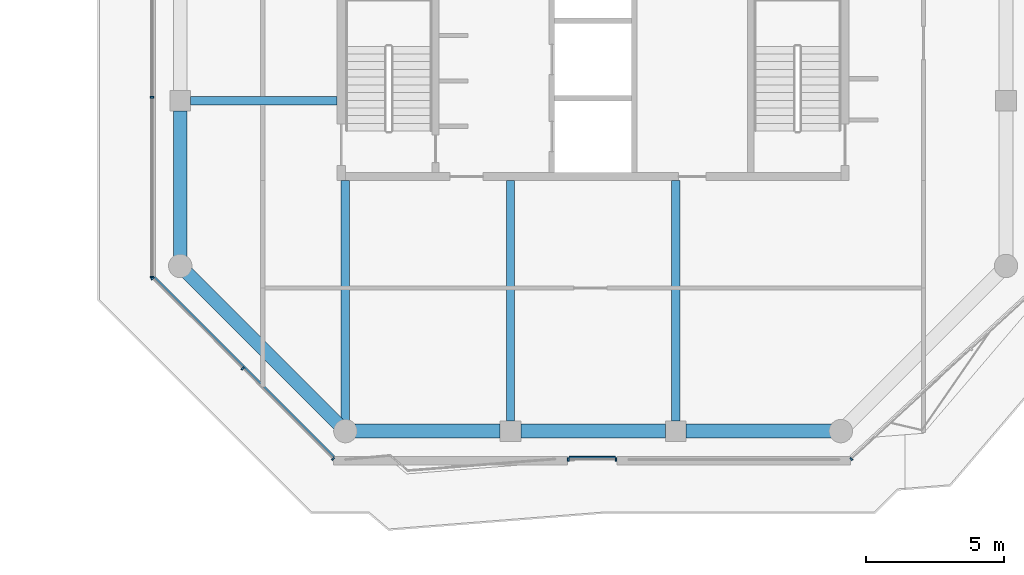
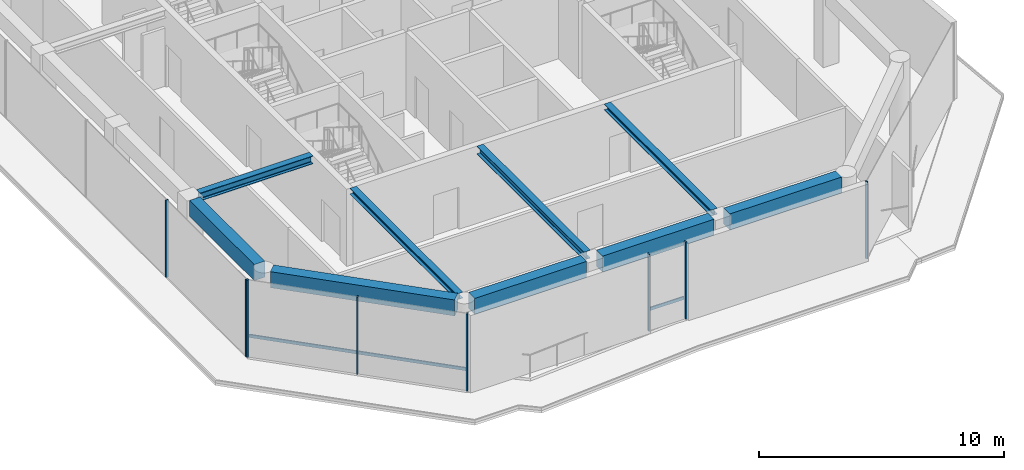
# One storey, part 2 of 23: 10 members, 9 beams, 4 elements without a shape of their own.
"""IFC4 building model written with IfcOpenShell, lengths in metres."""

from ifc_helpers import new_model, si_unit, direction, frame, origin, origin_2d, place, context, subcontext, project, spatial, rectangle, i_section, extrude, material, layer, layer_set, material_profile, profile_set, type_object, element, aggregate, save


model = new_model("IFC4")

# Units and contexts
model_context = context("Model", 3, precision=1e-05, world=origin(), true_north=direction((0.0, 1.0)))
body_context = subcontext(model_context, "Body", "Model", "MODEL_VIEW")
ifc_project = project(units=[si_unit("LENGTHUNIT", "METRE"), si_unit("AREAUNIT", "SQUARE_METRE"), si_unit("VOLUMEUNIT", "CUBIC_METRE"), si_unit("PLANEANGLEUNIT", "RADIAN"), si_unit("MASSUNIT", "GRAM", prefix="KILO")], contexts=[model_context])

# Site, building, storey
site_placement = place(None, origin())
site = spatial("IfcSite", under=ifc_project, at=site_placement, CompositionType="ELEMENT")
building_placement = place(site_placement, origin())
building = spatial("IfcBuilding", under=site, at=building_placement, Name="Welwitschia Terrace Campus", CompositionType="ELEMENT")
storey_placement = place(building_placement, frame((0.0, 0.0, 306.199951171875)))
storey = spatial("IfcBuildingStorey", under=building, at=storey_placement, Name="L68", CompositionType="ELEMENT", Elevation=306.199951171875)

# Beams
ifc_material_1 = material(Name="Steel S355", Category="steel")
ifc_material_profile_1 = material_profile(ifc_material_1, i_section(OverallWidth=0.300048828125, OverallDepth=0.300048828125, WebThickness=0.010986328125, FlangeThickness=0.01904296875, FilletRadius=0.027099609375, at=origin_2d()))
ifc_profile_set_1 = profile_set([ifc_material_profile_1], Name="Steel S355")
beam_type_1 = type_object("IfcBeamType", Name="Interior girder HE 300 B", PredefinedType="BEAM", material=ifc_profile_set_1)
beam_1_placement = place(storey_placement, frame((6.0, -3.611572265625, 3.699951171875), z_axis=(0.0, 1.0, 0.0), x_axis=(-1.0, 0.0, 0.0)))
element("IfcBeam", 1, at=beam_1_placement, inside=storey, type_object=beam_type_1, Name="Girder GB6", PredefinedType="BEAM", context=body_context, shape_type="SweptSolid", body=[
    extrude(i_section(OverallWidth=0.300048828125, OverallDepth=0.300048828125, WebThickness=0.010986328125, FlangeThickness=0.01904296875, FilletRadius=0.027099609375, at=origin_2d()), origin(), (0.0, 0.0, 1.0), 8.710693359375),
])
beam_2_placement = place(storey_placement, frame((18.0, -3.634521484375, 3.699951171875), z_axis=(0.0, 1.0, 0.0), x_axis=(-1.0, 0.0, 0.0)))
element("IfcBeam", 2, at=beam_2_placement, inside=storey, type_object=beam_type_1, Name="Girder GB6", PredefinedType="BEAM", context=body_context, shape_type="SweptSolid", body=[
    extrude(i_section(OverallWidth=0.300048828125, OverallDepth=0.300048828125, WebThickness=0.010986328125, FlangeThickness=0.01904296875, FilletRadius=0.027099609375, at=origin_2d()), origin(), (0.0, 0.0, 1.0), 8.733642578125),
])

# Curtain wall, members
ifc_material_2 = material(Name="Bronze anodised aluminium", Category="aluminium")
ifc_layer = layer(ifc_material_2, 0.1201171875)
ifc_layer_set = layer_set([ifc_layer], Name="Bronze anodised aluminium")
curtain_wall_type = type_object("IfcCurtainWallType", Name="Curtain wall CW2 tower 6000", PredefinedType="NOTDEFINED", material=ifc_layer_set)
curtain_wall_1_placement = place(storey_placement, origin())
curtain_wall_1 = element("IfcCurtainWall", 3, at=curtain_wall_1_placement, inside=storey, type_object=curtain_wall_type, Name="CW L68.0.0", PredefinedType="NOTDEFINED")
ifc_material_3 = material(Name="Bronze anodised aluminium", Category="aluminium")
ifc_material_profile_2 = material_profile(ifc_material_3, rectangle(XDim=0.1201171875, YDim=0.06005859375, at=origin_2d()))
ifc_profile_set_2 = profile_set([ifc_material_profile_2], Name="Bronze anodised aluminium")
member_type_1 = type_object("IfcMemberType", Name="Mullion 60x120", PredefinedType="MULLION", material=ifc_profile_set_2)
member_1_placement = place(storey_placement, frame((-1.030029296875, 8.129638671875, 0.0), z_axis=(0.0, 0.0, 1.0), x_axis=(1.0, 0.0, 0.0)))
member_1 = element("IfcMember", 4, at=member_1_placement, type_object=member_type_1, Name="Mullion L68.0.0.3", PredefinedType="MULLION", context=body_context, shape_type="SweptSolid", body=[
    extrude(rectangle(XDim=0.1201171875, YDim=0.06005859375, at=origin_2d()), origin(), (0.0, 0.0, 1.0), 3.85009765625),
])
member_2_placement = place(storey_placement, frame((-1.030029296875, 1.603271484375, 0.0), z_axis=(0.0, 0.0, 1.0), x_axis=(1.0, 0.0, 0.0)))
member_2 = element("IfcMember", 5, at=member_2_placement, type_object=member_type_1, Name="Mullion L68.0.0.4", PredefinedType="MULLION", context=body_context, shape_type="SweptSolid", body=[
    extrude(rectangle(XDim=0.1201171875, YDim=0.06005859375, at=origin_2d()), origin(), (0.0, 0.0, 1.0), 3.85009765625),
])
aggregate(curtain_wall_1, [member_1, member_2])

curtain_wall_2_placement = place(storey_placement, origin())
curtain_wall_2 = element("IfcCurtainWall", 6, at=curtain_wall_2_placement, inside=storey, type_object=curtain_wall_type, Name="CW L68.1.0", PredefinedType="NOTDEFINED")
member_3_placement = place(storey_placement, frame((-1.0087890625, 1.55224609375, 0.0), z_axis=(0.0, 0.0, 1.0), x_axis=(0.707106781187, 0.707106781187, 0.0)))
member_3 = element("IfcMember", 7, at=member_3_placement, type_object=member_type_1, Name="Mullion L68.1.0.0", PredefinedType="MULLION", context=body_context, shape_type="SweptSolid", body=[
    extrude(rectangle(XDim=0.1201171875, YDim=0.06005859375, at=origin_2d()), origin(), (0.0, 0.0, 1.0), 3.85009765625),
])
member_4_placement = place(storey_placement, frame((2.271728515625, -1.728271484375, 0.0), z_axis=(0.0, 0.0, 1.0), x_axis=(0.707106781187, 0.707106781187, 0.0)))
member_4 = element("IfcMember", 8, at=member_4_placement, type_object=member_type_1, Name="Mullion L68.1.0.1", PredefinedType="MULLION", context=body_context, shape_type="SweptSolid", body=[
    extrude(rectangle(XDim=0.1201171875, YDim=0.06005859375, at=origin_2d()), origin(), (0.0, 0.0, 1.0), 3.85009765625),
])
member_5_placement = place(storey_placement, frame((5.55224609375, -5.0087890625, 0.0), z_axis=(0.0, 0.0, 1.0), x_axis=(0.707106781187, 0.707106781187, 0.0)))
member_5 = element("IfcMember", 9, at=member_5_placement, type_object=member_type_1, Name="Mullion L68.1.0.2", PredefinedType="MULLION", context=body_context, shape_type="SweptSolid", body=[
    extrude(rectangle(XDim=0.1201171875, YDim=0.06005859375, at=origin_2d()), origin(), (0.0, 0.0, 1.0), 3.85009765625),
])

curtain_wall_3_placement = place(storey_placement, origin())
curtain_wall_3 = element("IfcCurtainWall", 10, at=curtain_wall_3_placement, inside=storey, type_object=curtain_wall_type, Name="CW L68.2.S0", PredefinedType="NOTDEFINED")
member_6_placement = place(storey_placement, frame((14.095947265625, -5.030029296875, 0.0), z_axis=(0.0, 0.0, 1.0), x_axis=(0.0, 1.0, 0.0)))
member_6 = element("IfcMember", 11, at=member_6_placement, type_object=member_type_1, Name="Mullion L68.2.S0.0", PredefinedType="MULLION", context=body_context, shape_type="SweptSolid", body=[
    extrude(rectangle(XDim=0.1201171875, YDim=0.06005859375, at=origin_2d()), origin(), (0.0, 0.0, 1.0), 3.85009765625),
])
member_7_placement = place(storey_placement, frame((15.8359375, -5.030029296875, 0.0), z_axis=(0.0, 0.0, 1.0), x_axis=(0.0, 1.0, 0.0)))
member_7 = element("IfcMember", 12, at=member_7_placement, type_object=member_type_1, Name="Mullion L68.2.S0.1", PredefinedType="MULLION", context=body_context, shape_type="SweptSolid", body=[
    extrude(rectangle(XDim=0.1201171875, YDim=0.06005859375, at=origin_2d()), origin(), (0.0, 0.0, 1.0), 3.85009765625),
])

# Curtain wall, member
curtain_wall_4_placement = place(storey_placement, origin())
curtain_wall_4 = element("IfcCurtainWall", 13, at=curtain_wall_4_placement, inside=storey, type_object=curtain_wall_type, Name="CW L68.3.0", PredefinedType="NOTDEFINED")
member_8_placement = place(storey_placement, frame((24.380859375, -5.009765625, 0.0), z_axis=(0.0, 0.0, 1.0), x_axis=(-0.677034390902, 0.735951379872, 0.0)))
member_8 = element("IfcMember", 14, at=member_8_placement, type_object=member_type_1, Name="Mullion L68.3.0.0", PredefinedType="MULLION", context=body_context, shape_type="SweptSolid", body=[
    extrude(rectangle(XDim=0.1201171875, YDim=0.06005859375, at=origin_2d()), origin(), (0.0, 0.0, 1.0), 3.85009765625),
])
aggregate(curtain_wall_4, [member_8])

# Beams
ifc_material_4 = material(Name="Steel S355", Category="steel")
ifc_material_profile_3 = material_profile(ifc_material_4, i_section(OverallWidth=0.300048828125, OverallDepth=0.39990234375, WebThickness=0.013427734375, FlangeThickness=0.02392578125, FilletRadius=0.027099609375, at=origin_2d()))
ifc_profile_set_3 = profile_set([ifc_material_profile_3], Name="Steel S355")
beam_type_2 = type_object("IfcBeamType", Name="Primary beam HE 400 B", PredefinedType="BEAM", material=ifc_profile_set_3)
beam_3_placement = place(storey_placement, frame((12.0, -3.62451171875, 3.650146484375), z_axis=(0.0, 1.0, 0.0), x_axis=(-1.0, 0.0, 0.0)))
element("IfcBeam", 15, at=beam_3_placement, inside=storey, type_object=beam_type_2, Name="Primary beam PB6", PredefinedType="BEAM", context=body_context, shape_type="SweptSolid", body=[
    extrude(i_section(OverallWidth=0.300048828125, OverallDepth=0.39990234375, WebThickness=0.013427734375, FlangeThickness=0.02392578125, FilletRadius=0.027099609375, at=origin_2d()), origin(), (0.0, 0.0, 1.0), 8.724609375),
])
beam_4_placement = place(storey_placement, frame((0.37548828125, 8.0, 3.650146484375), z_axis=(1.0, 0.0, 0.0), x_axis=(0.0, 1.0, 0.0)))
element("IfcBeam", 16, at=beam_4_placement, inside=storey, type_object=beam_type_2, Name="Primary beam PB6", PredefinedType="BEAM", context=body_context, shape_type="SweptSolid", body=[
    extrude(i_section(OverallWidth=0.300048828125, OverallDepth=0.39990234375, WebThickness=0.013427734375, FlangeThickness=0.02392578125, FilletRadius=0.027099609375, at=origin_2d()), origin(), (0.0, 0.0, 1.0), 5.324462890625),
])
ifc_material_5 = material(Name="Concrete C50/60", Category="concrete")
ifc_material_profile_4 = material_profile(ifc_material_5, rectangle(XDim=0.5, YDim=0.800048828125, at=origin_2d()))
ifc_profile_set_4 = profile_set([ifc_material_profile_4], Name="Concrete C50/60")
beam_type_3 = type_object("IfcBeamType", Name="Ring spandrel 500x800", PredefinedType="SPANDREL", material=ifc_profile_set_4)
beam_5_placement = place(storey_placement, frame((0.24365234375, 1.75634765625, 3.449951171875), z_axis=(0.707106781187, -0.707106781187, 0.0), x_axis=(0.707106781187, 0.707106781187, 0.0)))
element("IfcBeam", 17, at=beam_5_placement, inside=storey, type_object=beam_type_3, Name="Spandrel SP4", PredefinedType="SPANDREL", context=body_context, shape_type="SweptSolid", body=[
    extrude(rectangle(XDim=0.5, YDim=0.800048828125, at=origin_2d()), origin(), (0.0, 0.0, 1.0), 7.796142578125),
])
beam_6_placement = place(storey_placement, frame((6.344482421875, -4.0, 3.449951171875), z_axis=(1.0, 0.0, 0.0), x_axis=(0.0, 1.0, 0.0)))
element("IfcBeam", 18, at=beam_6_placement, inside=storey, type_object=beam_type_3, Name="Spandrel SP4", PredefinedType="SPANDREL", context=body_context, shape_type="SweptSolid", body=[
    extrude(rectangle(XDim=0.5, YDim=0.800048828125, at=origin_2d()), origin(), (0.0, 0.0, 1.0), 5.280029296875),
])
beam_7_placement = place(storey_placement, frame((12.37548828125, -4.0, 3.449951171875), z_axis=(1.0, 0.0, 0.0), x_axis=(0.0, 1.0, 0.0)))
element("IfcBeam", 19, at=beam_7_placement, inside=storey, type_object=beam_type_3, Name="Spandrel SP4", PredefinedType="SPANDREL", context=body_context, shape_type="SweptSolid", body=[
    extrude(rectangle(XDim=0.5, YDim=0.800048828125, at=origin_2d()), origin(), (0.0, 0.0, 1.0), 5.2490234375),
])
for number, where, z_axis, x_axis, name in (
    (20, (18.37548828125, -4.0, 3.449951171875), (1.0, 0.0, 0.0), (0.0, 1.0, 0.0), "Spandrel SP4"),
    (21, (0.0, 7.62451171875, 3.449951171875), (0.0, -1.0, 0.0), (1.0, 0.0, 0.0), "Spandrel SP4"),
):
    element("IfcBeam", number, at=place(storey_placement, frame(where, z_axis=z_axis, x_axis=x_axis)), inside=storey, type_object=beam_type_3, Name=name, PredefinedType="SPANDREL", context=body_context, shape_type="SweptSolid", body=[
        extrude(rectangle(XDim=0.5, YDim=0.800048828125, at=origin_2d()), origin(), (0.0, 0.0, 1.0), 5.280029296875),
    ])

# Member
ifc_material_6 = material(Name="Bronze anodised aluminium", Category="aluminium")
ifc_material_profile_5 = material_profile(ifc_material_6, rectangle(XDim=0.06005859375, YDim=0.14990234375, at=origin_2d()))
ifc_profile_set_5 = profile_set([ifc_material_profile_5], Name="Bronze anodised aluminium")
member_type_2 = type_object("IfcMemberType", Name="Transom 60x150", PredefinedType="USERDEFINED", material=ifc_profile_set_5)
member_9_placement = place(storey_placement, frame((-0.923828125, 1.594482421875, 1.0), z_axis=(0.707106781187, -0.707106781187, 0.0), x_axis=(0.707106781187, 0.707106781187, 0.0)))
member_9 = element("IfcMember", 22, at=member_9_placement, type_object=member_type_2, Name="Transom L68.1.0", ObjectType="TRANSOM", PredefinedType="USERDEFINED", context=body_context, shape_type="SweptSolid", body=[
    extrude(rectangle(XDim=0.06005859375, YDim=0.14990234375, at=origin_2d()), origin(), (0.0, 0.0, 1.0), 9.21826171875),
])

aggregate(curtain_wall_2, [member_3, member_4, member_5, member_9])

member_10_placement = place(storey_placement, frame((14.1259765625, -4.93994140625, 1.0), z_axis=(1.0, 0.0, 0.0), x_axis=(0.0, 1.0, 0.0)))
member_10 = element("IfcMember", 23, at=member_10_placement, type_object=member_type_2, Name="Transom L68.2.S0", ObjectType="TRANSOM", PredefinedType="USERDEFINED", context=body_context, shape_type="SweptSolid", body=[
    extrude(rectangle(XDim=0.06005859375, YDim=0.14990234375, at=origin_2d()), origin(), (0.0, 0.0, 1.0), 1.679931640625),
])

aggregate(curtain_wall_3, [member_6, member_7, member_10])

save(model, "model.ifc")
